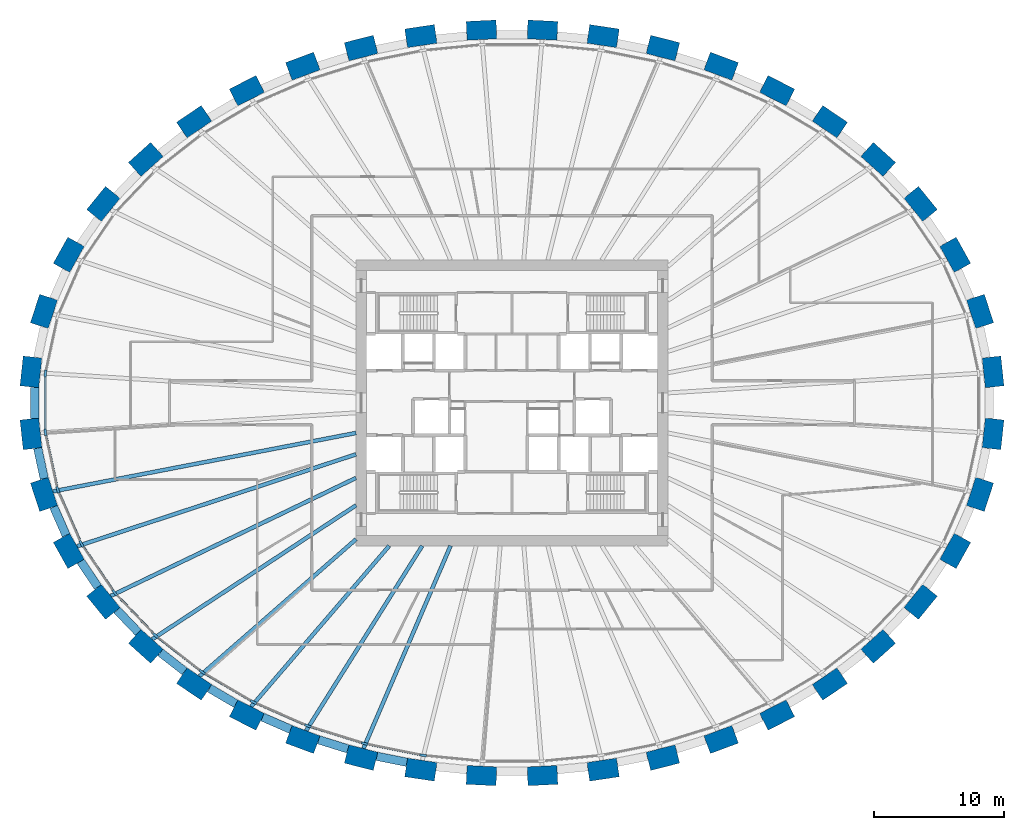
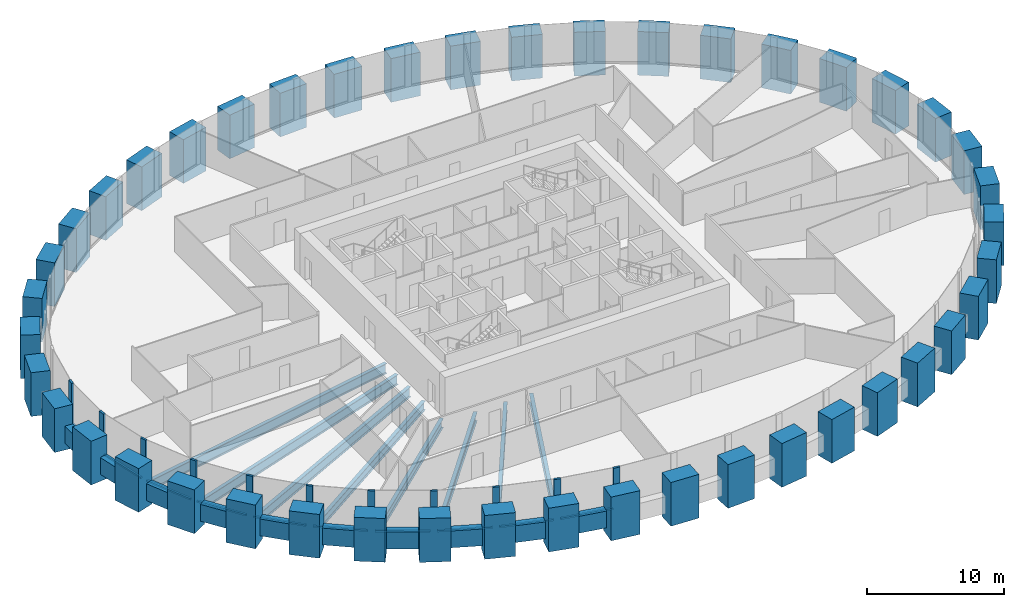
# One storey, part 1 of 10: 44 columns, 21 members, 18 beams, 1 element without a shape of its own.
"""IFC4 building model written with IfcOpenShell, lengths in metres."""

from ifc_helpers import new_model, si_unit, direction, frame, origin, origin_2d, place, context, subcontext, project, spatial, rectangle, i_section, extrude, source, transform, mapped, material, material_profile, profile_set, type_object, element, aggregate, save


model = new_model("IFC4")

# Units and contexts
model_context = context("Model", 3, precision=1e-05, world=origin(), true_north=direction((0.0, 1.0)))
body_context = subcontext(model_context, "Body", "Model", "MODEL_VIEW")
ifc_project = project(units=[si_unit("LENGTHUNIT", "METRE"), si_unit("AREAUNIT", "SQUARE_METRE"), si_unit("VOLUMEUNIT", "CUBIC_METRE"), si_unit("PLANEANGLEUNIT", "RADIAN"), si_unit("MASSUNIT", "GRAM", prefix="KILO")], contexts=[model_context])

# Site, building, storey
site_placement = place(None, origin())
site = spatial("IfcSite", under=ifc_project, at=site_placement, CompositionType="ELEMENT")
building_placement = place(site_placement, origin())
building = spatial("IfcBuilding", under=site, at=building_placement, Name="Embergate Tower", CompositionType="ELEMENT")
storey_placement = place(building_placement, frame((0.0, 0.0, 175.5)))
storey = spatial("IfcBuildingStorey", under=building, at=storey_placement, Name="L39", CompositionType="ELEMENT", Elevation=175.5)

# Columns
ifc_material_1 = material(Name="Concrete C70", Category="concrete")
ifc_material_profile_1 = material_profile(ifc_material_1, rectangle(XDim=1.449951171875, YDim=2.300048828125, at=origin_2d()), Name="RC 1450x2300")
ifc_profile_set_1 = profile_set([ifc_material_profile_1], Name="Concrete C70")
column_type = type_object("IfcColumnType", Name="Ring column RC 1450x2300 C70", PredefinedType="COLUMN", material=ifc_profile_set_1)
shared_shape_1 = source(origin(), body_context, "Body", "SweptSolid", [
    extrude(rectangle(XDim=1.449951171875, YDim=2.300048828125, at=origin_2d()), origin(), (0.0, 0.0, 1.0), 3.89990234375),
])
for number, where, z_axis, x_axis, name in (
    (1, (37.008056640625, 2.383056640625, -1.39990234375), (0.0, 0.0, 1.0), (0.99428589498, 0.106749983816, 0.0), "COL-L39-00"),
    (2, (36.007080078125, 7.037109375, -1.39990234375), (0.0, 0.0, 1.0), (0.950754033697, 0.309946394413, 0.0), "COL-L39-01"),
    (3, (34.097900390625, 11.388916015625, -1.39990234375), (0.0, 0.0, 1.0), (0.873491969053, 0.486838556403, 0.0), "COL-L39-02"),
    (4, (31.43408203125, 15.30810546875, -1.39990234375), (0.0, 0.0, 1.0), (0.775914301615, 0.630838328377, 0.0), "COL-L39-03"),
    (5, (28.172119140625, 18.72900390625, -1.39990234375), (0.0, 0.0, 1.0), (0.669208424634, 0.74307475021, 0.0), "COL-L39-04"),
    (6, (24.4541015625, 21.631103515625, -1.39990234375), (0.0, 0.0, 1.0), (0.560393279442, 0.828226643109, 0.0), "COL-L39-05"),
    (7, (20.39697265625, 24.01611328125, -1.39990234375), (0.0, 0.0, 1.0), (0.452994952881, 0.891513080478, 0.0), "COL-L39-06"),
    (8, (16.091064453125, 25.89892578125, -1.39990234375), (0.0, 0.0, 1.0), (0.348343015724, 0.93736713373, 0.0), "COL-L39-07"),
    (9, (11.60888671875, 27.294921875, -1.39990234375), (0.0, 0.0, 1.0), (0.246491603437, 0.969144926951, 0.0), "COL-L39-08"),
    (10, (7.010009765625, 28.217041015625, -1.39990234375), (0.0, 0.0, 1.0), (0.146929011949, 0.989147039346, 0.0), "COL-L39-09"),
    (11, (2.343994140625, 28.676025390625, -1.39990234375), (0.0, 0.0, 1.0), (0.048814904854, 0.998807841912, 0.0), "COL-L39-10"),
    (12, (-2.343994140625, 28.676025390625, -1.39990234375), (0.0, 0.0, 1.0), (-0.048814904854, 0.998807841912, 0.0), "COL-L39-11"),
    (13, (-7.010009765625, 28.217041015625, -1.39990234375), (0.0, 0.0, 1.0), (-0.146929011949, 0.989147039346, 0.0), "COL-L39-12"),
    (14, (-11.60888671875, 27.294921875, -1.39990234375), (0.0, 0.0, 1.0), (-0.246491603437, 0.969144926951, 0.0), "COL-L39-13"),
    (15, (-16.091064453125, 25.89892578125, -1.39990234375), (0.0, 0.0, 1.0), (-0.348343015724, 0.93736713373, 0.0), "COL-L39-14"),
    (16, (-20.39697265625, 24.01611328125, -1.39990234375), (0.0, 0.0, 1.0), (-0.452994952881, 0.891513080478, 0.0), "COL-L39-15"),
    (17, (-24.4541015625, 21.631103515625, -1.39990234375), (0.0, 0.0, 1.0), (-0.560393279442, 0.828226643109, 0.0), "COL-L39-16"),
    (18, (-28.172119140625, 18.72900390625, -1.39990234375), (0.0, 0.0, 1.0), (-0.669208424634, 0.74307475021, 0.0), "COL-L39-17"),
    (19, (-31.43408203125, 15.30810546875, -1.39990234375), (0.0, 0.0, 1.0), (-0.775914301615, 0.630838328377, 0.0), "COL-L39-18"),
    (20, (-34.097900390625, 11.388916015625, -1.39990234375), (0.0, 0.0, 1.0), (-0.873491969053, 0.486838556403, 0.0), "COL-L39-19"),
    (21, (-36.007080078125, 7.037109375, -1.39990234375), (0.0, 0.0, 1.0), (-0.950754033697, 0.309946394413, 0.0), "COL-L39-20"),
    (22, (-37.008056640625, 2.383056640625, -1.39990234375), (0.0, 0.0, 1.0), (-0.99428589498, 0.106749983816, 0.0), "COL-L39-21"),
    (23, (-37.008056640625, -2.383056640625, -1.39990234375), (0.0, 0.0, 1.0), (-0.99428589498, -0.106749983816, 0.0), "COL-L39-22"),
    (24, (-36.007080078125, -7.037109375, -1.39990234375), (0.0, 0.0, 1.0), (-0.950754033697, -0.309946394413, 0.0), "COL-L39-23"),
    (25, (-34.097900390625, -11.388916015625, -1.39990234375), (0.0, 0.0, 1.0), (-0.873491969053, -0.486838556403, 0.0), "COL-L39-24"),
    (26, (-31.43408203125, -15.30810546875, -1.39990234375), (0.0, 0.0, 1.0), (-0.775914301615, -0.630838328377, 0.0), "COL-L39-25"),
    (27, (-28.172119140625, -18.72900390625, -1.39990234375), (0.0, 0.0, 1.0), (-0.669208424634, -0.74307475021, 0.0), "COL-L39-26"),
    (28, (-24.4541015625, -21.631103515625, -1.39990234375), (0.0, 0.0, 1.0), (-0.560393279442, -0.828226643109, 0.0), "COL-L39-27"),
    (29, (-20.39697265625, -24.01611328125, -1.39990234375), (0.0, 0.0, 1.0), (-0.452994952881, -0.891513080478, 0.0), "COL-L39-28"),
    (30, (-16.091064453125, -25.89892578125, -1.39990234375), (0.0, 0.0, 1.0), (-0.348343015724, -0.93736713373, 0.0), "COL-L39-29"),
    (31, (-11.60888671875, -27.294921875, -1.39990234375), (0.0, 0.0, 1.0), (-0.246491603437, -0.969144926951, 0.0), "COL-L39-30"),
    (32, (-7.010009765625, -28.217041015625, -1.39990234375), (0.0, 0.0, 1.0), (-0.146929011949, -0.989147039346, 0.0), "COL-L39-31"),
    (33, (-2.343994140625, -28.676025390625, -1.39990234375), (0.0, 0.0, 1.0), (-0.048814904854, -0.998807841912, 0.0), "COL-L39-32"),
    (34, (2.343994140625, -28.676025390625, -1.39990234375), (0.0, 0.0, 1.0), (0.048814904854, -0.998807841912, 0.0), "COL-L39-33"),
    (35, (7.010009765625, -28.217041015625, -1.39990234375), (0.0, 0.0, 1.0), (0.146929011949, -0.989147039346, 0.0), "COL-L39-34"),
    (36, (11.60888671875, -27.294921875, -1.39990234375), (0.0, 0.0, 1.0), (0.246491603437, -0.969144926951, 0.0), "COL-L39-35"),
    (37, (16.091064453125, -25.89892578125, -1.39990234375), (0.0, 0.0, 1.0), (0.348343015724, -0.93736713373, 0.0), "COL-L39-36"),
    (38, (20.39697265625, -24.01611328125, -1.39990234375), (0.0, 0.0, 1.0), (0.452994952881, -0.891513080478, 0.0), "COL-L39-37"),
    (39, (24.4541015625, -21.631103515625, -1.39990234375), (0.0, 0.0, 1.0), (0.560393279442, -0.828226643109, 0.0), "COL-L39-38"),
    (40, (28.172119140625, -18.72900390625, -1.39990234375), (0.0, 0.0, 1.0), (0.669208424634, -0.74307475021, 0.0), "COL-L39-39"),
    (41, (31.43408203125, -15.30810546875, -1.39990234375), (0.0, 0.0, 1.0), (0.775914301615, -0.630838328377, 0.0), "COL-L39-40"),
    (42, (34.097900390625, -11.388916015625, -1.39990234375), (0.0, 0.0, 1.0), (0.873491969053, -0.486838556403, 0.0), "COL-L39-41"),
    (43, (36.007080078125, -7.037109375, -1.39990234375), (0.0, 0.0, 1.0), (0.950754033697, -0.309946394413, 0.0), "COL-L39-42"),
    (44, (37.008056640625, -2.383056640625, -1.39990234375), (0.0, 0.0, 1.0), (0.99428589498, -0.106749983816, 0.0), "COL-L39-43"),
):
    element("IfcColumn", number, at=place(storey_placement, frame(where, z_axis=z_axis, x_axis=x_axis)), inside=storey, type_object=column_type, Name=name, PredefinedType="COLUMN", context=body_context, shape_type="MappedRepresentation", body=[
        mapped(shared_shape_1, transform((0.0, 0.0, 0.0))),
    ])

# Beams
ifc_material_profile_2 = material_profile(ifc_material_1, rectangle(XDim=0.64990234375, YDim=1.5, at=origin_2d()), Name="RC 650x1500")
ifc_profile_set_2 = profile_set([ifc_material_profile_2], Name="Concrete C70")
beam_type_1 = type_object("IfcBeamType", Name="Spandrel beam RC 650x1500 C70", PredefinedType="BEAM", material=ifc_profile_set_2)
shared_shape_2 = source(origin(), body_context, "Body", "SweptSolid", [
    extrude(rectangle(XDim=0.64990234375, YDim=1.5, at=origin_2d()), origin(), (0.0, 0.0, 1.0), 2.390625),
])
beam_1_placement = place(storey_placement, frame((-36.489013671875, -3.48388671875, 0.0), z_axis=(0.210372893439, -0.977621217909, 0.0), x_axis=(0.977621217909, 0.210372893439, 0.0)))
element("IfcBeam", 45, at=beam_1_placement, inside=storey, type_object=beam_type_1, Name="SPN-L39-22", PredefinedType="BEAM", context=body_context, shape_type="MappedRepresentation", body=[
    mapped(shared_shape_2, transform((0.0, 0.0, 0.0))),
])
shared_shape_3 = source(origin(), body_context, "Body", "SweptSolid", [
    extrude(rectangle(XDim=0.64990234375, YDim=1.5, at=origin_2d()), origin(), (0.0, 0.0, 1.0), 2.383544921875),
])
beam_2_placement = place(storey_placement, frame((-35.259033203125, -8.0029296875, 0.0), z_axis=(0.401495719711, -0.915860899402, 0.0), x_axis=(0.915860899402, 0.401495719711, 0.0)))
element("IfcBeam", 46, at=beam_2_placement, inside=storey, type_object=beam_type_1, Name="SPN-L39-23", PredefinedType="BEAM", context=body_context, shape_type="MappedRepresentation", body=[
    mapped(shared_shape_3, transform((0.0, 0.0, 0.0))),
])
shared_shape_4 = source(origin(), body_context, "Body", "SweptSolid", [
    extrude(rectangle(XDim=0.64990234375, YDim=1.5, at=origin_2d()), origin(), (0.0, 0.0, 1.0), 2.37744140625),
])
beam_3_placement = place(storey_placement, frame((-33.18798828125, -12.198974609375, 0.0), z_axis=(0.562307212713, -0.826928411975, 0.0), x_axis=(0.826928411975, 0.562307212713, 0.0)))
element("IfcBeam", 47, at=beam_3_placement, inside=storey, type_object=beam_type_1, Name="SPN-L39-24", PredefinedType="BEAM", context=body_context, shape_type="MappedRepresentation", body=[
    mapped(shared_shape_4, transform((0.0, 0.0, 0.0))),
])
shared_shape_5 = source(origin(), body_context, "Body", "SweptSolid", [
    extrude(rectangle(XDim=0.64990234375, YDim=1.5, at=origin_2d()), origin(), (0.0, 0.0, 1.0), 2.370361328125),
])
beam_4_placement = place(storey_placement, frame((-30.39111328125, -15.94189453125, 0.0), z_axis=(0.690277300847, -0.723544917704, 0.0), x_axis=(0.723544917704, 0.690277300847, 0.0)))
element("IfcBeam", 48, at=beam_4_placement, inside=storey, type_object=beam_type_1, Name="SPN-L39-25", PredefinedType="BEAM", context=body_context, shape_type="MappedRepresentation", body=[
    mapped(shared_shape_5, transform((0.0, 0.0, 0.0))),
])
shared_shape_6 = source(origin(), body_context, "Body", "SweptSolid", [
    extrude(rectangle(XDim=0.64990234375, YDim=1.5, at=origin_2d()), origin(), (0.0, 0.0, 1.0), 2.367431640625),
])
beam_5_placement = place(storey_placement, frame((-27.050048828125, -19.200927734375, 0.0), z_axis=(0.788179129097, -0.615445903761, 0.0), x_axis=(0.615445903761, 0.788179129097, 0.0)))
element("IfcBeam", 49, at=beam_5_placement, inside=storey, type_object=beam_type_1, Name="SPN-L39-26", PredefinedType="BEAM", context=body_context, shape_type="MappedRepresentation", body=[
    mapped(shared_shape_6, transform((0.0, 0.0, 0.0))),
])
shared_shape_7 = source(origin(), body_context, "Body", "SweptSolid", [
    extrude(rectangle(XDim=0.64990234375, YDim=1.5, at=origin_2d()), origin(), (0.0, 0.0, 1.0), 2.36181640625),
])
beam_6_placement = place(storey_placement, frame((-23.281982421875, -21.950927734375, 0.0), z_axis=(0.86203783714, -0.506843927989, 0.0), x_axis=(0.506843927989, 0.86203783714, 0.0)))
element("IfcBeam", 50, at=beam_6_placement, inside=storey, type_object=beam_type_1, Name="SPN-L39-27", PredefinedType="BEAM", context=body_context, shape_type="MappedRepresentation", body=[
    mapped(shared_shape_7, transform((0.0, 0.0, 0.0))),
])
shared_shape_8 = source(origin(), body_context, "Body", "SweptSolid", [
    extrude(rectangle(XDim=0.64990234375, YDim=1.5, at=origin_2d()), origin(), (0.0, 0.0, 1.0), 2.357177734375),
])
beam_7_placement = place(storey_placement, frame((-19.18798828125, -24.175048828125, 0.0), z_axis=(0.916330780136, -0.400422153951, 0.0), x_axis=(0.400422153951, 0.916330780136, 0.0)))
element("IfcBeam", 51, at=beam_7_placement, inside=storey, type_object=beam_type_1, Name="SPN-L39-28", PredefinedType="BEAM", context=body_context, shape_type="MappedRepresentation", body=[
    mapped(shared_shape_8, transform((0.0, 0.0, 0.0))),
])
shared_shape_9 = source(origin(), body_context, "Body", "SweptSolid", [
    extrude(rectangle(XDim=0.64990234375, YDim=1.5, at=origin_2d()), origin(), (0.0, 0.0, 1.0), 2.354736328125),
])
beam_8_placement = place(storey_placement, frame((-14.873046875, -25.923095703125, 0.0), z_axis=(0.954671641149, -0.2976609776, 0.0), x_axis=(0.2976609776, 0.954671641149, 0.0)))
element("IfcBeam", 52, at=beam_8_placement, inside=storey, type_object=beam_type_1, Name="SPN-L39-29", PredefinedType="BEAM", context=body_context, shape_type="MappedRepresentation", body=[
    mapped(shared_shape_9, transform((0.0, 0.0, 0.0))),
])
shared_shape_10 = source(origin(), body_context, "Body", "SweptSolid", [
    extrude(rectangle(XDim=0.64990234375, YDim=1.5, at=origin_2d()), origin(), (0.0, 0.0, 1.0), 2.35302734375),
])
beam_9_placement = place(storey_placement, frame((-10.39599609375, -27.19189453125, 0.0), z_axis=(0.980436743633, -0.196834427206, 0.0), x_axis=(0.196834427206, 0.980436743633, 0.0)))
element("IfcBeam", 53, at=beam_9_placement, inside=storey, type_object=beam_type_1, Name="SPN-L39-30", PredefinedType="BEAM", context=body_context, shape_type="MappedRepresentation", body=[
    mapped(shared_shape_10, transform((0.0, 0.0, 0.0))),
])
shared_shape_11 = source(origin(), body_context, "Body", "SweptSolid", [
    extrude(rectangle(XDim=0.64990234375, YDim=1.5, at=origin_2d()), origin(), (0.0, 0.0, 1.0), 2.39404296875),
])
beam_10_placement = place(storey_placement, frame((-36.73193359375, 1.197021484375, 0.0), z_axis=(0.0, -1.0, 0.0), x_axis=(1.0, 0.0, 0.0)))
element("IfcBeam", 54, at=beam_10_placement, inside=storey, type_object=beam_type_1, Name="SPN-L39-21", PredefinedType="BEAM", context=body_context, shape_type="MappedRepresentation", body=[
    mapped(shared_shape_11, transform((0.0, 0.0, 0.0))),
])
ifc_material_2 = material(Name="Steel Q355B", Category="steel")
ifc_material_profile_3 = material_profile(ifc_material_2, i_section(OverallWidth=0.300048828125, OverallDepth=0.89990234375, WebThickness=0.01611328125, FlangeThickness=0.028076171875, FilletRadius=0.028076171875, at=origin_2d()), Name="HN 900x300x16x28")
ifc_profile_set_3 = profile_set([ifc_material_profile_3], Name="Steel Q355 grade B")
beam_type_2 = type_object("IfcBeamType", Name="Radial girder HN 900x300x16x28", PredefinedType="BEAM", material=ifc_profile_set_3)
shared_shape_12 = source(origin(), body_context, "Body", "SweptSolid", [
    extrude(i_section(OverallWidth=0.300048828125, OverallDepth=0.89990234375, WebThickness=0.01611328125, FlangeThickness=0.028076171875, FilletRadius=0.028076171875, at=origin_2d()), origin(), (0.0, 0.0, 1.0), 23.747802734375),
])
beam_11_placement = place(storey_placement, frame((-35.318115234375, -6.81201171875, -0.64990234375), z_axis=(0.981906216614, 0.189367847787, 0.0), x_axis=(-0.189367847787, 0.981906216614, 0.0)))
element("IfcBeam", 55, at=beam_11_placement, inside=storey, type_object=beam_type_2, Name="GIR-L39-23", PredefinedType="BEAM", context=body_context, shape_type="MappedRepresentation", body=[
    mapped(shared_shape_12, transform((0.0, 0.0, 0.0))),
])
shared_shape_13 = source(origin(), body_context, "Body", "SweptSolid", [
    extrude(i_section(OverallWidth=0.300048828125, OverallDepth=0.89990234375, WebThickness=0.01611328125, FlangeThickness=0.028076171875, FilletRadius=0.028076171875, at=origin_2d()), origin(), (0.0, 0.0, 1.0), 22.602294921875),
])
beam_12_placement = place(storey_placement, frame((-33.465087890625, -11.035888671875, -0.64990234375), z_axis=(0.949689481284, 0.313193054103, 0.0), x_axis=(-0.313193054103, 0.949689481284, 0.0)))
element("IfcBeam", 56, at=beam_12_placement, inside=storey, type_object=beam_type_2, Name="GIR-L39-24", PredefinedType="BEAM", context=body_context, shape_type="MappedRepresentation", body=[
    mapped(shared_shape_13, transform((0.0, 0.0, 0.0))),
])
shared_shape_14 = source(origin(), body_context, "Body", "SweptSolid", [
    extrude(i_section(OverallWidth=0.300048828125, OverallDepth=0.89990234375, WebThickness=0.01611328125, FlangeThickness=0.028076171875, FilletRadius=0.028076171875, at=origin_2d()), origin(), (0.0, 0.0, 1.0), 20.941162109375),
])
beam_13_placement = place(storey_placement, frame((-30.87109375, -14.85107421875, -0.64990234375), z_axis=(0.901150138625, 0.433507125267, 0.0), x_axis=(-0.433507125267, 0.901150138625, 0.0)))
element("IfcBeam", 57, at=beam_13_placement, inside=storey, type_object=beam_type_2, Name="GIR-L39-25", PredefinedType="BEAM", context=body_context, shape_type="MappedRepresentation", body=[
    mapped(shared_shape_14, transform((0.0, 0.0, 0.0))),
])
ifc_material_profile_4 = material_profile(ifc_material_2, i_section(OverallWidth=0.300048828125, OverallDepth=0.800048828125, WebThickness=0.013916015625, FlangeThickness=0.02587890625, FilletRadius=0.028076171875, at=origin_2d()), Name="HN 800x300x14x26")
ifc_profile_set_4 = profile_set([ifc_material_profile_4], Name="Steel Q355 grade B")
beam_type_3 = type_object("IfcBeamType", Name="Radial girder HN 800x300x14x26", PredefinedType="BEAM", material=ifc_profile_set_4)
shared_shape_15 = source(origin(), body_context, "Body", "SweptSolid", [
    extrude(i_section(OverallWidth=0.300048828125, OverallDepth=0.800048828125, WebThickness=0.013916015625, FlangeThickness=0.02587890625, FilletRadius=0.028076171875, at=origin_2d()), origin(), (0.0, 0.0, 1.0), 18.76953125),
])
beam_14_placement = place(storey_placement, frame((-27.68701171875, -18.18994140625, -0.60009765625), z_axis=(0.835771481667, 0.549077435734, 0.0), x_axis=(-0.549077435734, 0.835771481667, 0.0)))
element("IfcBeam", 58, at=beam_14_placement, inside=storey, type_object=beam_type_3, Name="GIR-L39-26", PredefinedType="BEAM", context=body_context, shape_type="MappedRepresentation", body=[
    mapped(shared_shape_15, transform((0.0, 0.0, 0.0))),
])
shared_shape_16 = source(origin(), body_context, "Body", "SweptSolid", [
    extrude(i_section(OverallWidth=0.300048828125, OverallDepth=0.800048828125, WebThickness=0.013916015625, FlangeThickness=0.02587890625, FilletRadius=0.028076171875, at=origin_2d()), origin(), (0.0, 0.0, 1.0), 16.005859375),
])
beam_15_placement = place(storey_placement, frame((-24.048095703125, -21.031005859375, -0.60009765625), z_axis=(0.752730691054, 0.658328570506, 0.0), x_axis=(-0.658328570506, 0.752730691054, 0.0)))
element("IfcBeam", 59, at=beam_15_placement, inside=storey, type_object=beam_type_3, Name="GIR-L39-27", PredefinedType="BEAM", context=body_context, shape_type="MappedRepresentation", body=[
    mapped(shared_shape_16, transform((0.0, 0.0, 0.0))),
])
shared_shape_17 = source(origin(), body_context, "Body", "SweptSolid", [
    extrude(i_section(OverallWidth=0.300048828125, OverallDepth=0.800048828125, WebThickness=0.013916015625, FlangeThickness=0.02587890625, FilletRadius=0.028076171875, at=origin_2d()), origin(), (0.0, 0.0, 1.0), 16.305419921875),
])
beam_16_placement = place(storey_placement, frame((-20.069091796875, -23.3701171875, -0.60009765625), z_axis=(0.651501333184, 0.758647489193, 0.0), x_axis=(-0.758647489193, 0.651501333184, 0.0)))
element("IfcBeam", 60, at=beam_16_placement, inside=storey, type_object=beam_type_3, Name="GIR-L39-28", PredefinedType="BEAM", context=body_context, shape_type="MappedRepresentation", body=[
    mapped(shared_shape_17, transform((0.0, 0.0, 0.0))),
])
shared_shape_18 = source(origin(), body_context, "Body", "SweptSolid", [
    extrude(i_section(OverallWidth=0.300048828125, OverallDepth=0.800048828125, WebThickness=0.013916015625, FlangeThickness=0.02587890625, FilletRadius=0.028076171875, at=origin_2d()), origin(), (0.0, 0.0, 1.0), 16.79052734375),
])
beam_17_placement = place(storey_placement, frame((-15.837890625, -25.218994140625, -0.60009765625), z_axis=(0.531841858708, 0.8468436912, 0.0), x_axis=(-0.8468436912, 0.531841858708, 0.0)))
element("IfcBeam", 61, at=beam_17_placement, inside=storey, type_object=beam_type_3, Name="GIR-L39-29", PredefinedType="BEAM", context=body_context, shape_type="MappedRepresentation", body=[
    mapped(shared_shape_18, transform((0.0, 0.0, 0.0))),
])
shared_shape_19 = source(origin(), body_context, "Body", "SweptSolid", [
    extrude(i_section(OverallWidth=0.300048828125, OverallDepth=0.800048828125, WebThickness=0.013916015625, FlangeThickness=0.02587890625, FilletRadius=0.028076171875, at=origin_2d()), origin(), (0.0, 0.0, 1.0), 16.971435546875),
])
beam_18_placement = place(storey_placement, frame((-11.429931640625, -26.592041015625, -0.60009765625), z_axis=(0.394894806524, 0.918726342161, 0.0), x_axis=(-0.918726342161, 0.394894806524, 0.0)))
element("IfcBeam", 62, at=beam_18_placement, inside=storey, type_object=beam_type_3, Name="GIR-L39-30", PredefinedType="BEAM", context=body_context, shape_type="MappedRepresentation", body=[
    mapped(shared_shape_19, transform((0.0, 0.0, 0.0))),
])

# Curtain wall, members
ifc_material_3 = material(Name="Aluminium and glass", Category="aluminium")
curtain_wall_type = type_object("IfcCurtainWallType", Name="Recessed office glazing", PredefinedType="NOTDEFINED", material=ifc_material_3)
curtain_wall_placement = place(storey_placement, origin())
curtain_wall = element("IfcCurtainWall", 63, at=curtain_wall_placement, inside=storey, type_object=curtain_wall_type, Name="Recessed office glazing ring", ObjectType="RECESSED OFFICE GLAZING", PredefinedType="USERDEFINED")
ifc_material_4 = material(Name="Aluminium, thermally broken", Category="aluminium")
ifc_material_profile_5 = material_profile(ifc_material_4, rectangle(XDim=0.179931640625, YDim=0.52001953125, at=origin_2d()), Name="AL 520x180")
ifc_profile_set_5 = profile_set([ifc_material_profile_5], Name="Aluminium, thermally broken")
member_type_1 = type_object("IfcMemberType", Name="Office mullion", PredefinedType="MULLION", material=ifc_profile_set_5)
shared_shape_20 = source(origin(), body_context, "Body", "SweptSolid", [
    extrude(rectangle(XDim=0.179931640625, YDim=0.52001953125, at=origin_2d()), origin(), (0.0, 0.0, 1.0), 3.699951171875),
])
member_1_placement = place(storey_placement, frame((-35.899658203125, 2.263427734375, 0.0), z_axis=(0.0, 0.0, 1.0), x_axis=(0.994384770038, -0.105824992874, 0.0)))
member_1 = element("IfcMember", 64, at=member_1_placement, type_object=member_type_1, Name="CW mullion 22", PredefinedType="MULLION", context=body_context, shape_type="MappedRepresentation", body=[
    mapped(shared_shape_20, transform((0.0, 0.0, 0.0))),
])
member_2_placement = place(storey_placement, frame((-35.899658203125, -2.263427734375, 0.0), z_axis=(0.0, 0.0, 1.0), x_axis=(0.994384770038, 0.105824992874, 0.0)))
member_2 = element("IfcMember", 65, at=member_2_placement, type_object=member_type_1, Name="CW mullion 23", PredefinedType="MULLION", context=body_context, shape_type="MappedRepresentation", body=[
    mapped(shared_shape_20, transform((0.0, 0.0, 0.0))),
])
member_3_placement = place(storey_placement, frame((-34.94677734375, -6.691650390625, 0.0), z_axis=(0.0, 0.0, 1.0), x_axis=(0.951496187099, 0.307660536853, 0.0)))
member_3 = element("IfcMember", 66, at=member_3_placement, type_object=member_type_1, Name="CW mullion 24", PredefinedType="MULLION", context=body_context, shape_type="MappedRepresentation", body=[
    mapped(shared_shape_20, transform((0.0, 0.0, 0.0))),
])
member_4_placement = place(storey_placement, frame((-33.12451171875, -10.84619140625, 0.0), z_axis=(0.0, 0.0, 1.0), x_axis=(0.874998516019, 0.484125600402, 0.0)))
member_4 = element("IfcMember", 67, at=member_4_placement, type_object=member_type_1, Name="CW mullion 25", PredefinedType="MULLION", context=body_context, shape_type="MappedRepresentation", body=[
    mapped(shared_shape_20, transform((0.0, 0.0, 0.0))),
])
member_5_placement = place(storey_placement, frame((-30.568359375, -14.60498046875, 0.0), z_axis=(0.0, 0.0, 1.0), x_axis=(0.777867080309, 0.62842883875, 0.0)))
member_5 = element("IfcMember", 68, at=member_5_placement, type_object=member_type_1, Name="CW mullion 26", PredefinedType="MULLION", context=body_context, shape_type="MappedRepresentation", body=[
    mapped(shared_shape_20, transform((0.0, 0.0, 0.0))),
])
member_6_placement = place(storey_placement, frame((-27.425537109375, -17.900634765625, 0.0), z_axis=(0.0, 0.0, 1.0), x_axis=(0.671221359023, 0.741256964346, 0.0)))
member_6 = element("IfcMember", 69, at=member_6_placement, type_object=member_type_1, Name="CW mullion 27", PredefinedType="MULLION", context=body_context, shape_type="MappedRepresentation", body=[
    mapped(shared_shape_20, transform((0.0, 0.0, 0.0))),
])
member_7_placement = place(storey_placement, frame((-23.82958984375, -20.70703125, 0.0), z_axis=(0.0, 0.0, 1.0), x_axis=(0.562210401679, 0.82699423471, 0.0)))
member_7 = element("IfcMember", 70, at=member_7_placement, type_object=member_type_1, Name="CW mullion 28", PredefinedType="MULLION", context=body_context, shape_type="MappedRepresentation", body=[
    mapped(shared_shape_20, transform((0.0, 0.0, 0.0))),
])
member_8_placement = place(storey_placement, frame((-19.89208984375, -23.02197265625, 0.0), z_axis=(0.0, 0.0, 1.0), x_axis=(0.45450516197, 0.8907441034, 0.0)))
member_8 = element("IfcMember", 71, at=member_8_placement, type_object=member_type_1, Name="CW mullion 29", PredefinedType="MULLION", context=body_context, shape_type="MappedRepresentation", body=[
    mapped(shared_shape_20, transform((0.0, 0.0, 0.0))),
])
member_9_placement = place(storey_placement, frame((-15.702880859375, -24.853759765625, 0.0), z_axis=(0.0, 0.0, 1.0), x_axis=(0.349497777064, 0.936937193107, 0.0)))
member_9 = element("IfcMember", 72, at=member_9_placement, type_object=member_type_1, Name="CW mullion 30", PredefinedType="MULLION", context=body_context, shape_type="MappedRepresentation", body=[
    mapped(shared_shape_20, transform((0.0, 0.0, 0.0))),
])
member_10_placement = place(storey_placement, frame((-11.334716796875, -26.214111328125, 0.0), z_axis=(0.0, 0.0, 1.0), x_axis=(0.247308499144, 0.96893679167, 0.0)))
member_10 = element("IfcMember", 73, at=member_10_placement, type_object=member_type_1, Name="CW mullion 31", PredefinedType="MULLION", context=body_context, shape_type="MappedRepresentation", body=[
    mapped(shared_shape_20, transform((0.0, 0.0, 0.0))),
])
member_11_placement = place(storey_placement, frame((-6.846435546875, -27.1142578125, 0.0), z_axis=(0.0, 0.0, 1.0), x_axis=(0.147408930294, 0.989075632735, 0.0)))
member_11 = element("IfcMember", 74, at=member_11_placement, type_object=member_type_1, Name="CW mullion 32", PredefinedType="MULLION", context=body_context, shape_type="MappedRepresentation", body=[
    mapped(shared_shape_20, transform((0.0, 0.0, 0.0))),
])
ifc_material_profile_6 = material_profile(ifc_material_4, rectangle(XDim=0.179931640625, YDim=0.14990234375, at=origin_2d()), Name="AL 150x180")
ifc_profile_set_6 = profile_set([ifc_material_profile_6], Name="Aluminium, thermally broken")
member_type_2 = type_object("IfcMemberType", Name="Office sill transom", PredefinedType="USERDEFINED", material=ifc_profile_set_6)
shared_shape_21 = source(origin(), body_context, "Body", "SweptSolid", [
    extrude(rectangle(XDim=0.179931640625, YDim=0.14990234375, at=origin_2d()), origin(), (0.0, 0.0, 1.0), 4.009765625),
])
member_12_placement = place(storey_placement, frame((-35.844970703125, -2.517578125, 0.074951171875), z_axis=(0.210368972531, -0.977622061635, 0.0), x_axis=(0.977622061635, 0.210368972531, 0.0)))
member_12 = element("IfcMember", 75, at=member_12_placement, type_object=member_type_2, Name="CW transom 23.1", ObjectType="TRANSOM", PredefinedType="USERDEFINED", context=body_context, shape_type="MappedRepresentation", body=[
    mapped(shared_shape_21, transform((0.0, 0.0, 0.0))),
])
shared_shape_22 = source(origin(), body_context, "Body", "SweptSolid", [
    extrude(rectangle(XDim=0.179931640625, YDim=0.14990234375, at=origin_2d()), origin(), (0.0, 0.0, 1.0), 4.0166015625),
])
member_13_placement = place(storey_placement, frame((-34.84228515625, -6.9296875, 0.074951171875), z_axis=(0.401644503167, -0.915795661202, 0.0), x_axis=(0.915795661202, 0.401644503167, 0.0)))
member_13 = element("IfcMember", 76, at=member_13_placement, type_object=member_type_2, Name="CW transom 24.1", ObjectType="TRANSOM", PredefinedType="USERDEFINED", context=body_context, shape_type="MappedRepresentation", body=[
    mapped(shared_shape_22, transform((0.0, 0.0, 0.0))),
])
shared_shape_23 = source(origin(), body_context, "Body", "SweptSolid", [
    extrude(rectangle(XDim=0.179931640625, YDim=0.14990234375, at=origin_2d()), origin(), (0.0, 0.0, 1.0), 4.025390625),
])
member_14_placement = place(storey_placement, frame((-32.978271484375, -11.061279296875, 0.074951171875), z_axis=(0.562346517012, -0.826901683881, 0.0), x_axis=(0.826901683881, 0.562346517012, 0.0)))
member_14 = element("IfcMember", 77, at=member_14_placement, type_object=member_type_2, Name="CW transom 25.1", ObjectType="TRANSOM", PredefinedType="USERDEFINED", context=body_context, shape_type="MappedRepresentation", body=[
    mapped(shared_shape_23, transform((0.0, 0.0, 0.0))),
])
shared_shape_24 = source(origin(), body_context, "Body", "SweptSolid", [
    extrude(rectangle(XDim=0.179931640625, YDim=0.14990234375, at=origin_2d()), origin(), (0.0, 0.0, 1.0), 4.033935546875),
])
member_15_placement = place(storey_placement, frame((-30.388916015625, -14.79296875, 0.074951171875), z_axis=(0.690112930661, -0.723701694716, 0.0), x_axis=(0.723701694716, 0.690112930661, 0.0)))
member_15 = element("IfcMember", 78, at=member_15_placement, type_object=member_type_2, Name="CW transom 26.1", ObjectType="TRANSOM", PredefinedType="USERDEFINED", context=body_context, shape_type="MappedRepresentation", body=[
    mapped(shared_shape_24, transform((0.0, 0.0, 0.0))),
])
shared_shape_25 = source(origin(), body_context, "Body", "SweptSolid", [
    extrude(rectangle(XDim=0.179931640625, YDim=0.14990234375, at=origin_2d()), origin(), (0.0, 0.0, 1.0), 4.04150390625),
])
member_16_placement = place(storey_placement, frame((-27.220458984375, -18.060546875, 0.074951171875), z_axis=(0.788326502743, -0.615257121107, 0.0), x_axis=(0.615257121107, 0.788326502743, 0.0)))
member_16 = element("IfcMember", 79, at=member_16_placement, type_object=member_type_2, Name="CW transom 27.1", ObjectType="TRANSOM", PredefinedType="USERDEFINED", context=body_context, shape_type="MappedRepresentation", body=[
    mapped(shared_shape_25, transform((0.0, 0.0, 0.0))),
])
shared_shape_26 = source(origin(), body_context, "Body", "SweptSolid", [
    extrude(rectangle(XDim=0.179931640625, YDim=0.14990234375, at=origin_2d()), origin(), (0.0, 0.0, 1.0), 4.047607421875),
])
member_17_placement = place(storey_placement, frame((-23.60546875, -20.8388671875, 0.074951171875), z_axis=(0.862067536609, -0.50679341188, 0.0), x_axis=(0.50679341188, 0.862067536609, 0.0)))
member_17 = element("IfcMember", 80, at=member_17_placement, type_object=member_type_2, Name="CW transom 28.1", ObjectType="TRANSOM", PredefinedType="USERDEFINED", context=body_context, shape_type="MappedRepresentation", body=[
    mapped(shared_shape_26, transform((0.0, 0.0, 0.0))),
])
shared_shape_27 = source(origin(), body_context, "Body", "SweptSolid", [
    extrude(rectangle(XDim=0.179931640625, YDim=0.14990234375, at=origin_2d()), origin(), (0.0, 0.0, 1.0), 4.052001953125),
])
member_18_placement = place(storey_placement, frame((-19.65380859375, -23.126220703125, 0.074951171875), z_axis=(0.91624719551, -0.400613375613, 0.0), x_axis=(0.400613375613, 0.91624719551, 0.0)))
member_18 = element("IfcMember", 81, at=member_18_placement, type_object=member_type_2, Name="CW transom 29.1", ObjectType="TRANSOM", PredefinedType="USERDEFINED", context=body_context, shape_type="MappedRepresentation", body=[
    mapped(shared_shape_27, transform((0.0, 0.0, 0.0))),
])
shared_shape_28 = source(origin(), body_context, "Body", "SweptSolid", [
    extrude(rectangle(XDim=0.179931640625, YDim=0.14990234375, at=origin_2d()), origin(), (0.0, 0.0, 1.0), 4.055419921875),
])
member_19_placement = place(storey_placement, frame((-15.454833984375, -24.930908203125, 0.074951171875), z_axis=(0.954775154278, -0.297328782281, 0.0), x_axis=(0.297328782281, 0.954775154278, 0.0)))
member_19 = element("IfcMember", 82, at=member_19_placement, type_object=member_type_2, Name="CW transom 30.1", ObjectType="TRANSOM", PredefinedType="USERDEFINED", context=body_context, shape_type="MappedRepresentation", body=[
    mapped(shared_shape_28, transform((0.0, 0.0, 0.0))),
])
shared_shape_29 = source(origin(), body_context, "Body", "SweptSolid", [
    extrude(rectangle(XDim=0.179931640625, YDim=0.14990234375, at=origin_2d()), origin(), (0.0, 0.0, 1.0), 4.057373046875),
])
member_20_placement = place(storey_placement, frame((-11.07958984375, -26.26513671875, 0.074951171875), z_axis=(0.980476396391, -0.196636812728, 0.0), x_axis=(0.196636812728, 0.980476396391, 0.0)))
member_20 = element("IfcMember", 83, at=member_20_placement, type_object=member_type_2, Name="CW transom 31.1", ObjectType="TRANSOM", PredefinedType="USERDEFINED", context=body_context, shape_type="MappedRepresentation", body=[
    mapped(shared_shape_29, transform((0.0, 0.0, 0.0))),
])
shared_shape_30 = source(origin(), body_context, "Body", "SweptSolid", [
    extrude(rectangle(XDim=0.179931640625, YDim=0.14990234375, at=origin_2d()), origin(), (0.0, 0.0, 1.0), 4.0068359375),
])
member_21_placement = place(storey_placement, frame((-35.899658203125, 2.00341796875, 0.074951171875), z_axis=(0.0, -1.0, 0.0), x_axis=(1.0, 0.0, 0.0)))
member_21 = element("IfcMember", 84, at=member_21_placement, type_object=member_type_2, Name="CW transom 22.1", ObjectType="TRANSOM", PredefinedType="USERDEFINED", context=body_context, shape_type="MappedRepresentation", body=[
    mapped(shared_shape_30, transform((0.0, 0.0, 0.0))),
])
aggregate(curtain_wall, [member_1, member_2, member_3, member_4, member_5, member_6, member_7, member_8, member_9, member_10, member_11, member_21, member_12, member_13, member_14, member_15, member_16, member_17, member_18, member_19, member_20])

save(model, "model.ifc")
